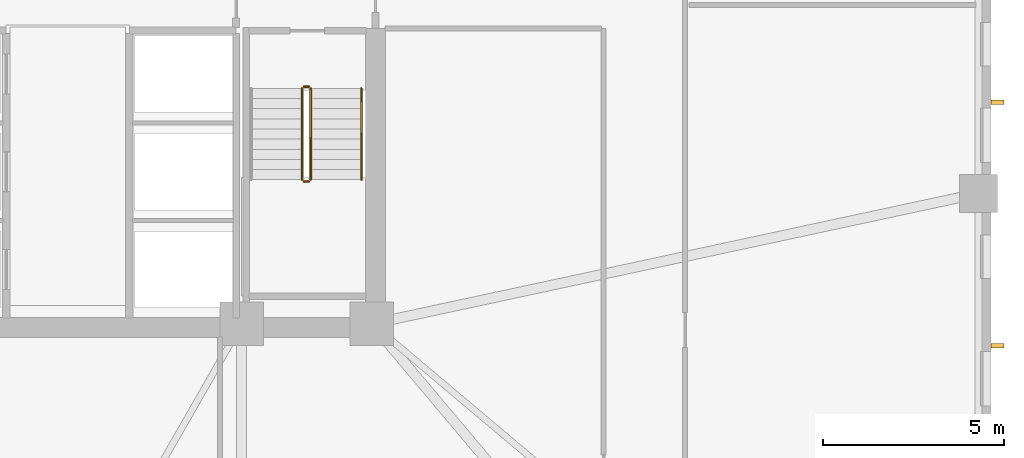
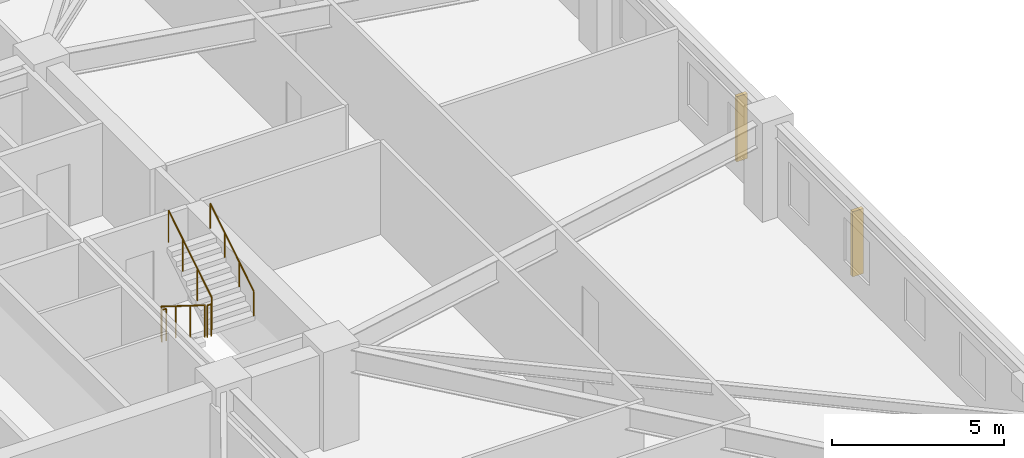
# One storey, part 8 of 10: 5 railings, 2 shading devices.
"""IFC4 building model written with IfcOpenShell, lengths in metres."""

from ifc_helpers import new_model, si_unit, direction, frame, origin, origin_2d, place, context, subcontext, project, spatial, rectangle, circle, extrude, material, type_object, element, save


model = new_model("IFC4")

# Units and contexts
model_context = context("Model", 3, precision=1e-05, world=origin(), true_north=direction((0.0, 1.0)))
body_context = subcontext(model_context, "Body", "Model", "MODEL_VIEW")
ifc_project = project(units=[si_unit("LENGTHUNIT", "METRE"), si_unit("AREAUNIT", "SQUARE_METRE"), si_unit("VOLUMEUNIT", "CUBIC_METRE"), si_unit("PLANEANGLEUNIT", "RADIAN"), si_unit("MASSUNIT", "GRAM", prefix="KILO")], contexts=[model_context])

# Site, building, storey
site_placement = place(None, origin())
site = spatial("IfcSite", under=ifc_project, at=site_placement, CompositionType="ELEMENT")
building_placement = place(site_placement, origin())
building = spatial("IfcBuilding", under=site, at=building_placement, Name="Cairnveth Concourse Tower", CompositionType="ELEMENT")
storey_placement = place(building_placement, frame((0.0, 0.0, 30.5)))
storey = spatial("IfcBuildingStorey", under=building, at=storey_placement, Name="L07", CompositionType="ELEMENT", Elevation=30.5)

# Shading devices
ifc_material_1 = material(Name="Architectural Bronze Anodised Aluminium 6063-T6", Category="aluminium")
shading_device_type = type_object("IfcShadingDeviceType", Name="GOTHIC BRONZE VERTICAL LANCET FIN", PredefinedType="USERDEFINED", material=ifc_material_1)
for number, where, z_axis, x_axis, name in (
    (1, (77.675048828125, 36.71875, 0.02978515625), (0.0, 0.0, 1.0), (0.0, 1.0, 0.0), "Gothic Bronze Vertical Fin L07-9-7"),
    (2, (77.675048828125, 29.99853515625, 0.02978515625), (0.0, 0.0, 1.0), (0.0, 1.0, 0.0), "Gothic Bronze Vertical Fin L07-9-9"),
):
    element("IfcShadingDevice", number, at=place(storey_placement, frame(where, z_axis=z_axis, x_axis=x_axis)), inside=storey, type_object=shading_device_type, Name=name, ObjectType="VERTICAL FIN", PredefinedType="USERDEFINED", context=body_context, shape_type="SweptSolid", body=[
        extrude(rectangle(XDim=0.1201171875, YDim=0.360107421875, at=origin_2d()), origin(), (0.0, 0.0, 1.0), 2.303955078125),
    ])

# Railings
ifc_material_2 = material(Name="Steel Grade 350", Category="steel")
railing_type_1 = type_object("IfcRailingType", Name="STAIR GUARDRAIL 1150", PredefinedType="GUARDRAIL", material=ifc_material_2)
railing_1_placement = place(storey_placement, frame((58.469970703125, 37.10009765625, 0.175048828125)))
element("IfcRailing", 3, at=railing_1_placement, inside=storey, type_object=railing_type_1, Name="L07 ST-2 stair guard 1", PredefinedType="GUARDRAIL", context=body_context, shape_type="SweptSolid", body=[
    extrude(circle(Radius=0.02392578125, at=origin_2d()), frame((0.0, 0.0, 1.1259765625), z_axis=(0.0, -0.848007534815, 0.529984170421), x_axis=(1.0, 0.0, 0.0)), (0.0, 0.0, 1.0), 2.9716796875),
    extrude(circle(Radius=0.02099609375, at=origin_2d()), origin(), (0.0, 0.0, 1.0), 1.101806640625),
    extrude(circle(Radius=0.02099609375, at=origin_2d()), frame((0.0, -0.840087890625, 0.52490234375)), (0.0, 0.0, 1.0), 1.101806640625),
    extrude(circle(Radius=0.02099609375, at=origin_2d()), frame((0.0, -1.679931640625, 1.050048828125)), (0.0, 0.0, 1.0), 1.101806640625),
    extrude(circle(Radius=0.02099609375, at=origin_2d()), frame((0.0, -2.52001953125, 1.574951171875)), (0.0, 0.0, 1.0), 1.101806640625),
])
railing_2_placement = place(storey_placement, frame((58.52001953125, 34.530029296875, 1.75)))
element("IfcRailing", 4, at=railing_2_placement, inside=storey, type_object=railing_type_1, Name="L07 ST-2 stair guard 2", PredefinedType="GUARDRAIL", context=body_context, shape_type="SweptSolid", body=[
    extrude(circle(Radius=0.02392578125, at=origin_2d()), frame((0.0, 0.0, 1.1259765625), z_axis=(1.0, 0.0, 0.0), x_axis=(0.0, 1.0, 0.0)), (0.0, 0.0, 1.0), 0.139892578125),
    extrude(circle(Radius=0.02099609375, at=origin_2d()), origin(), (0.0, 0.0, 1.0), 1.101806640625),
    extrude(circle(Radius=0.02099609375, at=origin_2d()), frame((0.139892578125, 0.0, 0.0)), (0.0, 0.0, 1.0), 1.101806640625),
])
railing_3_placement = place(storey_placement, frame((58.7099609375, 34.580078125, 1.925048828125)))
element("IfcRailing", 5, at=railing_3_placement, inside=storey, type_object=railing_type_1, Name="L07 ST-2 stair guard 3", PredefinedType="GUARDRAIL", context=body_context, shape_type="SweptSolid", body=[
    extrude(circle(Radius=0.02392578125, at=origin_2d()), frame((0.0, 0.0, 1.1259765625), z_axis=(0.0, 0.848007534815, 0.529984170421), x_axis=(-1.0, 0.0, 0.0)), (0.0, 0.0, 1.0), 2.9716796875),
    extrude(circle(Radius=0.02099609375, at=origin_2d()), origin(), (0.0, 0.0, 1.0), 1.101806640625),
    extrude(circle(Radius=0.02099609375, at=origin_2d()), frame((0.0, 0.840087890625, 0.52490234375)), (0.0, 0.0, 1.0), 1.101806640625),
    extrude(circle(Radius=0.02099609375, at=origin_2d()), frame((0.0, 1.679931640625, 1.050048828125)), (0.0, 0.0, 1.0), 1.101806640625),
    extrude(circle(Radius=0.02099609375, at=origin_2d()), frame((0.0, 2.52001953125, 1.574951171875)), (0.0, 0.0, 1.0), 1.101806640625),
])
railing_4_placement = place(storey_placement, frame((58.52001953125, 37.14990234375, 0.0)))
element("IfcRailing", 6, at=railing_4_placement, inside=storey, type_object=railing_type_1, Name="L07 ST-2 stair guard 4", PredefinedType="GUARDRAIL", context=body_context, shape_type="SweptSolid", body=[
    extrude(circle(Radius=0.02392578125, at=origin_2d()), frame((0.0, 0.0, 1.1259765625), z_axis=(1.0, 0.0, 0.0), x_axis=(0.0, 1.0, 0.0)), (0.0, 0.0, 1.0), 0.139892578125),
    extrude(circle(Radius=0.02099609375, at=origin_2d()), origin(), (0.0, 0.0, 1.0), 1.101806640625),
    extrude(circle(Radius=0.02099609375, at=origin_2d()), frame((0.139892578125, 0.0, 0.0)), (0.0, 0.0, 1.0), 1.101806640625),
])
railing_type_2 = type_object("IfcRailingType", Name="STAIR WALL HANDRAIL 900", PredefinedType="HANDRAIL", material=ifc_material_2)
railing_5_placement = place(storey_placement, frame((60.110107421875, 34.580078125, 1.925048828125)))
element("IfcRailing", 7, at=railing_5_placement, inside=storey, type_object=railing_type_2, Name="L07 ST-2 stair handrail 2", PredefinedType="HANDRAIL", context=body_context, shape_type="SweptSolid", body=[
    extrude(circle(Radius=0.02392578125, at=origin_2d()), frame((0.0, 0.0, 0.8759765625), z_axis=(0.0, 0.848007534815, 0.529984170421), x_axis=(-1.0, 0.0, 0.0)), (0.0, 0.0, 1.0), 2.9716796875),
    extrude(circle(Radius=0.02099609375, at=origin_2d()), origin(), (0.0, 0.0, 1.0), 0.851806640625),
    extrude(circle(Radius=0.02099609375, at=origin_2d()), frame((0.0, 0.840087890625, 0.52490234375)), (0.0, 0.0, 1.0), 0.851806640625),
    extrude(circle(Radius=0.02099609375, at=origin_2d()), frame((0.0, 1.679931640625, 1.050048828125)), (0.0, 0.0, 1.0), 0.851806640625),
    extrude(circle(Radius=0.02099609375, at=origin_2d()), frame((0.0, 2.52001953125, 1.574951171875)), (0.0, 0.0, 1.0), 0.851806640625),
])

save(model, "model.ifc")
